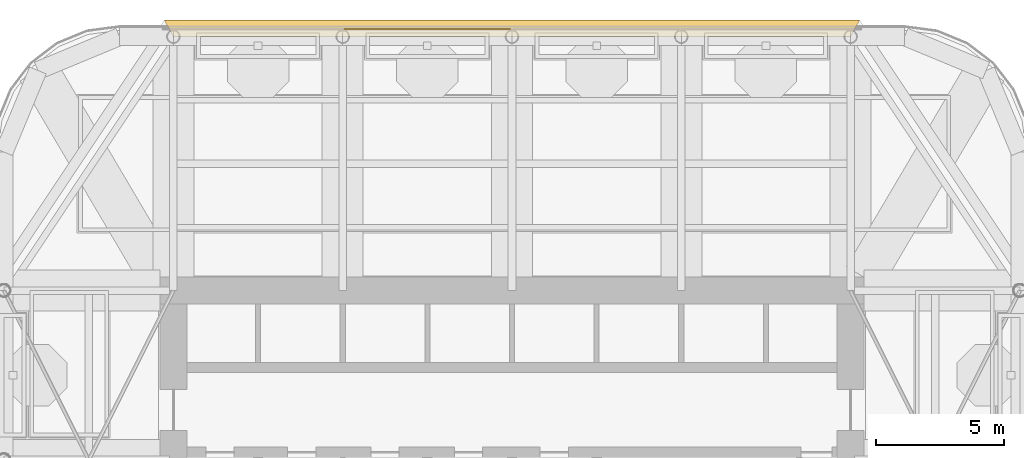
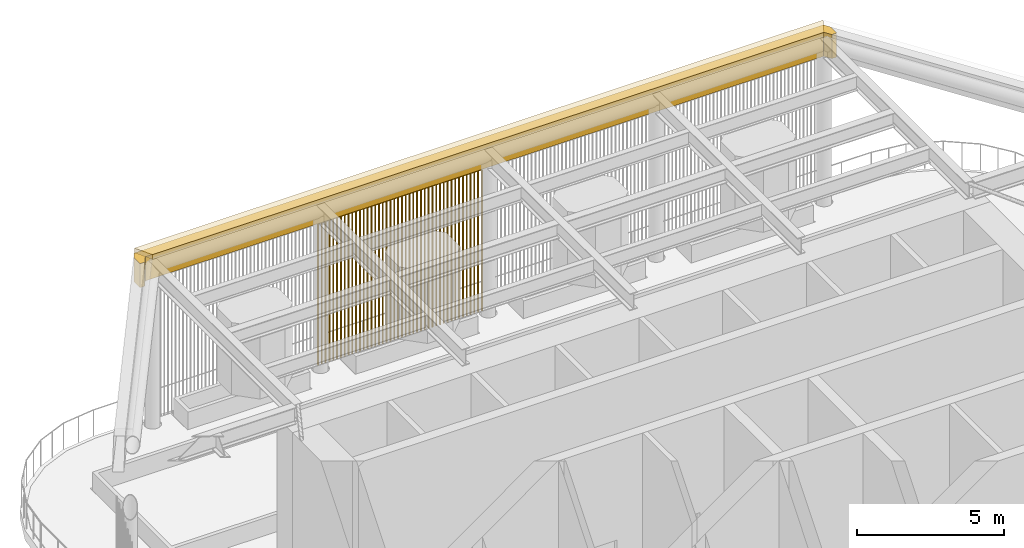
# One storey, part 19 of 22: 3 coverings.
"""IFC4 building model written with IfcOpenShell, lengths in metres."""

from ifc_helpers import new_model, si_unit, direction, frame, origin, place, context, subcontext, project, spatial, polyline, outline, extrude, material, layer, layer_set, type_object, element, save


model = new_model("IFC4")

# Units and contexts
model_context = context("Model", 3, precision=1e-05, world=origin(), true_north=direction((0.0, 1.0)))
body_context = subcontext(model_context, "Body", "Model", "MODEL_VIEW")
ifc_project = project(units=[si_unit("LENGTHUNIT", "METRE"), si_unit("AREAUNIT", "SQUARE_METRE"), si_unit("VOLUMEUNIT", "CUBIC_METRE"), si_unit("PLANEANGLEUNIT", "RADIAN"), si_unit("MASSUNIT", "GRAM", prefix="KILO")], contexts=[model_context])

# Site, building, storey
site_placement = place(None, origin())
site = spatial("IfcSite", under=ifc_project, at=site_placement, CompositionType="ELEMENT")
building_placement = place(site_placement, origin())
building = spatial("IfcBuilding", under=site, at=building_placement, Name="Cobogo Forest Laboratory Tower", CompositionType="ELEMENT")
storey_placement = place(building_placement, frame((0.0, 0.0, 292.800048828125)))
storey = spatial("IfcBuildingStorey", under=building, at=storey_placement, Name="RF", CompositionType="ELEMENT", Elevation=292.800048828125)

# Coverings
ifc_material_1 = material(Name="Terracotta rainscreen panels on steel brackets", Category="masonry")
ifc_layer_1 = layer(ifc_material_1, 0.389892578125)
ifc_layer_set_1 = layer_set([ifc_layer_1], Name="CF1 crown terracotta fascia 390")
covering_type_1 = type_object("IfcCoveringType", Name="CF1 crown terracotta fascia 390", PredefinedType="CLADDING", material=ifc_layer_set_1)
covering_1_placement = place(storey_placement, frame((0.0, 0.0, 5.89990234375)))
element("IfcCovering", 1, at=covering_1_placement, inside=storey, type_object=covering_type_1, Name="Crown fascia N", PredefinedType="CLADDING", context=body_context, shape_type="SweptSolid", body=[
    extrude(outline(polyline([(12.85205078125, 43.550048828125), (12.699951171875, 43.32177734375), (12.699951171875, 42.89990234375), (12.887451171875, 42.89990234375), (13.060791015625, 43.159912109375), (39.7392578125, 43.159912109375), (39.91259765625, 42.89990234375), (40.10009765625, 42.89990234375), (40.10009765625, 43.32177734375), (39.94775390625, 43.550048828125), (12.85205078125, 43.550048828125)])), origin(), (0.0, 0.0, 1.0), 1.00048828125),
])
ifc_material_2 = material(Name="Terracotta coping on steel brackets", Category="masonry")
ifc_layer_2 = layer(ifc_material_2, 0.199951171875)
ifc_layer_set_2 = layer_set([ifc_layer_2], Name="CF2 crown fascia coping 650")
covering_type_2 = type_object("IfcCoveringType", Name="CF2 crown fascia coping 650", PredefinedType="CLADDING", material=ifc_layer_set_2)
covering_2_placement = place(storey_placement, frame((0.0, 0.0, 6.900390625)))
element("IfcCovering", 2, at=covering_2_placement, inside=storey, type_object=covering_type_2, Name="Crown fascia coping N", PredefinedType="CLADDING", context=body_context, shape_type="SweptSolid", body=[
    extrude(outline(polyline([(39.60009765625, 42.89990234375), (39.94775390625, 43.550048828125), (12.85205078125, 43.550048828125), (13.199951171875, 42.89990234375), (39.60009765625, 42.89990234375)])), origin(), (0.0, 0.0, 1.0), 0.199462890625),
])
ifc_material_3 = material(Name="Terracotta baguettes on a galvanised steel top rail", Category="masonry")
covering_type_3 = type_object("IfcCoveringType", Name="CS1 crown terracotta baguette screen", PredefinedType="CLADDING", material=ifc_material_3)
covering_3_placement = place(storey_placement, frame((19.875, 43.199951171875, -0.0009765625)))
element("IfcCovering", 3, at=covering_3_placement, inside=storey, type_object=covering_type_3, Name="Crown screen N2", PredefinedType="CLADDING", context=body_context, shape_type="SweptSolid", body=[
    extrude(outline(polyline([(0.02880859375, 0.011962890625), (0.011962890625, 0.02880859375), (-0.011962890625, 0.02880859375), (-0.02880859375, 0.011962890625), (-0.02880859375, -0.011962890625), (-0.011962890625, -0.02880859375), (0.011962890625, -0.02880859375), (0.02880859375, -0.011962890625), (0.02880859375, 0.011962890625)])), frame((0.0, 0.0, 5.873046875), z_axis=(1.0, 0.0, 0.0), x_axis=(0.0, 1.0, 0.0)), (0.0, 0.0, 1.0), 6.449951171875),
    extrude(outline(polyline([(0.02880859375, 0.011962890625), (0.011962890625, 0.02880859375), (-0.011962890625, 0.02880859375), (-0.02880859375, 0.011962890625), (-0.02880859375, -0.011962890625), (-0.011962890625, -0.02880859375), (0.011962890625, -0.02880859375), (0.02880859375, -0.011962890625), (0.02880859375, 0.011962890625)])), origin(), (0.0, 0.0, 1.0), 5.841796875),
    extrude(outline(polyline([(0.02880859375, 0.011962890625), (0.011962890625, 0.02880859375), (-0.011962890625, 0.02880859375), (-0.02880859375, 0.011962890625), (-0.02880859375, -0.011962890625), (-0.011962890625, -0.02880859375), (0.011962890625, -0.02880859375), (0.02880859375, -0.011962890625), (0.02880859375, 0.011962890625)])), frame((0.14990234375, 0.0, 0.0)), (0.0, 0.0, 1.0), 5.841796875),
    extrude(outline(polyline([(0.02880859375, 0.011962890625), (0.011962890625, 0.02880859375), (-0.011962890625, 0.02880859375), (-0.02880859375, 0.011962890625), (-0.02880859375, -0.011962890625), (-0.011962890625, -0.02880859375), (0.011962890625, -0.02880859375), (0.02880859375, -0.011962890625), (0.02880859375, 0.011962890625)])), frame((0.300048828125, 0.0, 0.0)), (0.0, 0.0, 1.0), 5.841796875),
    extrude(outline(polyline([(0.02880859375, 0.011962890625), (0.011962890625, 0.02880859375), (-0.011962890625, 0.02880859375), (-0.02880859375, 0.011962890625), (-0.02880859375, -0.011962890625), (-0.011962890625, -0.02880859375), (0.011962890625, -0.02880859375), (0.02880859375, -0.011962890625), (0.02880859375, 0.011962890625)])), frame((0.449951171875, 0.0, 0.0)), (0.0, 0.0, 1.0), 5.841796875),
    extrude(outline(polyline([(0.02880859375, 0.011962890625), (0.011962890625, 0.02880859375), (-0.011962890625, 0.02880859375), (-0.02880859375, 0.011962890625), (-0.02880859375, -0.011962890625), (-0.011962890625, -0.02880859375), (0.011962890625, -0.02880859375), (0.02880859375, -0.011962890625), (0.02880859375, 0.011962890625)])), frame((0.60009765625, 0.0, 0.0)), (0.0, 0.0, 1.0), 5.841796875),
    extrude(outline(polyline([(0.02880859375, 0.011962890625), (0.011962890625, 0.02880859375), (-0.011962890625, 0.02880859375), (-0.02880859375, 0.011962890625), (-0.02880859375, -0.011962890625), (-0.011962890625, -0.02880859375), (0.011962890625, -0.02880859375), (0.02880859375, -0.011962890625), (0.02880859375, 0.011962890625)])), frame((0.75, 0.0, 0.0)), (0.0, 0.0, 1.0), 5.841796875),
    extrude(outline(polyline([(0.02880859375, 0.011962890625), (0.011962890625, 0.02880859375), (-0.011962890625, 0.02880859375), (-0.02880859375, 0.011962890625), (-0.02880859375, -0.011962890625), (-0.011962890625, -0.02880859375), (0.011962890625, -0.02880859375), (0.02880859375, -0.011962890625), (0.02880859375, 0.011962890625)])), frame((0.89990234375, 0.0, 0.0)), (0.0, 0.0, 1.0), 5.841796875),
    extrude(outline(polyline([(0.02880859375, 0.011962890625), (0.011962890625, 0.02880859375), (-0.011962890625, 0.02880859375), (-0.02880859375, 0.011962890625), (-0.02880859375, -0.011962890625), (-0.011962890625, -0.02880859375), (0.011962890625, -0.02880859375), (0.02880859375, -0.011962890625), (0.02880859375, 0.011962890625)])), frame((1.050048828125, 0.0, 0.0)), (0.0, 0.0, 1.0), 5.841796875),
    extrude(outline(polyline([(0.02880859375, 0.011962890625), (0.011962890625, 0.02880859375), (-0.011962890625, 0.02880859375), (-0.02880859375, 0.011962890625), (-0.02880859375, -0.011962890625), (-0.011962890625, -0.02880859375), (0.011962890625, -0.02880859375), (0.02880859375, -0.011962890625), (0.02880859375, 0.011962890625)])), frame((1.199951171875, 0.0, 0.0)), (0.0, 0.0, 1.0), 5.841796875),
    extrude(outline(polyline([(0.02880859375, 0.011962890625), (0.011962890625, 0.02880859375), (-0.011962890625, 0.02880859375), (-0.02880859375, 0.011962890625), (-0.02880859375, -0.011962890625), (-0.011962890625, -0.02880859375), (0.011962890625, -0.02880859375), (0.02880859375, -0.011962890625), (0.02880859375, 0.011962890625)])), frame((1.35009765625, 0.0, 0.0)), (0.0, 0.0, 1.0), 5.841796875),
    extrude(outline(polyline([(0.02880859375, 0.011962890625), (0.011962890625, 0.02880859375), (-0.011962890625, 0.02880859375), (-0.02880859375, 0.011962890625), (-0.02880859375, -0.011962890625), (-0.011962890625, -0.02880859375), (0.011962890625, -0.02880859375), (0.02880859375, -0.011962890625), (0.02880859375, 0.011962890625)])), frame((1.5, 0.0, 0.0)), (0.0, 0.0, 1.0), 5.841796875),
    extrude(outline(polyline([(0.02880859375, 0.011962890625), (0.011962890625, 0.02880859375), (-0.011962890625, 0.02880859375), (-0.02880859375, 0.011962890625), (-0.02880859375, -0.011962890625), (-0.011962890625, -0.02880859375), (0.011962890625, -0.02880859375), (0.02880859375, -0.011962890625), (0.02880859375, 0.011962890625)])), frame((1.64990234375, 0.0, 0.0)), (0.0, 0.0, 1.0), 5.841796875),
    extrude(outline(polyline([(0.02880859375, 0.011962890625), (0.011962890625, 0.02880859375), (-0.011962890625, 0.02880859375), (-0.02880859375, 0.011962890625), (-0.02880859375, -0.011962890625), (-0.011962890625, -0.02880859375), (0.011962890625, -0.02880859375), (0.02880859375, -0.011962890625), (0.02880859375, 0.011962890625)])), frame((1.800048828125, 0.0, 0.0)), (0.0, 0.0, 1.0), 5.841796875),
    extrude(outline(polyline([(0.02880859375, 0.011962890625), (0.011962890625, 0.02880859375), (-0.011962890625, 0.02880859375), (-0.02880859375, 0.011962890625), (-0.02880859375, -0.011962890625), (-0.011962890625, -0.02880859375), (0.011962890625, -0.02880859375), (0.02880859375, -0.011962890625), (0.02880859375, 0.011962890625)])), frame((1.949951171875, 0.0, 0.0)), (0.0, 0.0, 1.0), 5.841796875),
    extrude(outline(polyline([(0.02880859375, 0.011962890625), (0.011962890625, 0.02880859375), (-0.011962890625, 0.02880859375), (-0.02880859375, 0.011962890625), (-0.02880859375, -0.011962890625), (-0.011962890625, -0.02880859375), (0.011962890625, -0.02880859375), (0.02880859375, -0.011962890625), (0.02880859375, 0.011962890625)])), frame((2.10009765625, 0.0, 0.0)), (0.0, 0.0, 1.0), 5.841796875),
    extrude(outline(polyline([(0.02880859375, 0.011962890625), (0.011962890625, 0.02880859375), (-0.011962890625, 0.02880859375), (-0.02880859375, 0.011962890625), (-0.02880859375, -0.011962890625), (-0.011962890625, -0.02880859375), (0.011962890625, -0.02880859375), (0.02880859375, -0.011962890625), (0.02880859375, 0.011962890625)])), frame((2.25, 0.0, 0.0)), (0.0, 0.0, 1.0), 5.841796875),
    extrude(outline(polyline([(0.02880859375, 0.011962890625), (0.011962890625, 0.02880859375), (-0.011962890625, 0.02880859375), (-0.02880859375, 0.011962890625), (-0.02880859375, -0.011962890625), (-0.011962890625, -0.02880859375), (0.011962890625, -0.02880859375), (0.02880859375, -0.011962890625), (0.02880859375, 0.011962890625)])), frame((2.39990234375, 0.0, 0.0)), (0.0, 0.0, 1.0), 5.841796875),
    extrude(outline(polyline([(0.02880859375, 0.011962890625), (0.011962890625, 0.02880859375), (-0.011962890625, 0.02880859375), (-0.02880859375, 0.011962890625), (-0.02880859375, -0.011962890625), (-0.011962890625, -0.02880859375), (0.011962890625, -0.02880859375), (0.02880859375, -0.011962890625), (0.02880859375, 0.011962890625)])), frame((2.550048828125, 0.0, 0.0)), (0.0, 0.0, 1.0), 5.841796875),
    extrude(outline(polyline([(0.02880859375, 0.011962890625), (0.011962890625, 0.02880859375), (-0.011962890625, 0.02880859375), (-0.02880859375, 0.011962890625), (-0.02880859375, -0.011962890625), (-0.011962890625, -0.02880859375), (0.011962890625, -0.02880859375), (0.02880859375, -0.011962890625), (0.02880859375, 0.011962890625)])), frame((2.699951171875, 0.0, 0.0)), (0.0, 0.0, 1.0), 5.841796875),
    extrude(outline(polyline([(0.02880859375, 0.011962890625), (0.011962890625, 0.02880859375), (-0.011962890625, 0.02880859375), (-0.02880859375, 0.011962890625), (-0.02880859375, -0.011962890625), (-0.011962890625, -0.02880859375), (0.011962890625, -0.02880859375), (0.02880859375, -0.011962890625), (0.02880859375, 0.011962890625)])), frame((2.85009765625, 0.0, 0.0)), (0.0, 0.0, 1.0), 5.841796875),
    extrude(outline(polyline([(0.02880859375, 0.011962890625), (0.011962890625, 0.02880859375), (-0.011962890625, 0.02880859375), (-0.02880859375, 0.011962890625), (-0.02880859375, -0.011962890625), (-0.011962890625, -0.02880859375), (0.011962890625, -0.02880859375), (0.02880859375, -0.011962890625), (0.02880859375, 0.011962890625)])), frame((3.0, 0.0, 0.0)), (0.0, 0.0, 1.0), 5.841796875),
    extrude(outline(polyline([(0.02880859375, 0.011962890625), (0.011962890625, 0.02880859375), (-0.011962890625, 0.02880859375), (-0.02880859375, 0.011962890625), (-0.02880859375, -0.011962890625), (-0.011962890625, -0.02880859375), (0.011962890625, -0.02880859375), (0.02880859375, -0.011962890625), (0.02880859375, 0.011962890625)])), frame((3.14990234375, 0.0, 0.0)), (0.0, 0.0, 1.0), 5.841796875),
    extrude(outline(polyline([(0.02880859375, 0.011962890625), (0.011962890625, 0.02880859375), (-0.011962890625, 0.02880859375), (-0.02880859375, 0.011962890625), (-0.02880859375, -0.011962890625), (-0.011962890625, -0.02880859375), (0.011962890625, -0.02880859375), (0.02880859375, -0.011962890625), (0.02880859375, 0.011962890625)])), frame((3.300048828125, 0.0, 0.0)), (0.0, 0.0, 1.0), 5.841796875),
    extrude(outline(polyline([(0.02880859375, 0.011962890625), (0.011962890625, 0.02880859375), (-0.011962890625, 0.02880859375), (-0.02880859375, 0.011962890625), (-0.02880859375, -0.011962890625), (-0.011962890625, -0.02880859375), (0.011962890625, -0.02880859375), (0.02880859375, -0.011962890625), (0.02880859375, 0.011962890625)])), frame((3.449951171875, 0.0, 0.0)), (0.0, 0.0, 1.0), 5.841796875),
    extrude(outline(polyline([(0.02880859375, 0.011962890625), (0.011962890625, 0.02880859375), (-0.011962890625, 0.02880859375), (-0.02880859375, 0.011962890625), (-0.02880859375, -0.011962890625), (-0.011962890625, -0.02880859375), (0.011962890625, -0.02880859375), (0.02880859375, -0.011962890625), (0.02880859375, 0.011962890625)])), frame((3.599853515625, 0.0, 0.0)), (0.0, 0.0, 1.0), 5.841796875),
    extrude(outline(polyline([(0.02880859375, 0.011962890625), (0.011962890625, 0.02880859375), (-0.011962890625, 0.02880859375), (-0.02880859375, 0.011962890625), (-0.02880859375, -0.011962890625), (-0.011962890625, -0.02880859375), (0.011962890625, -0.02880859375), (0.02880859375, -0.011962890625), (0.02880859375, 0.011962890625)])), frame((3.75, 0.0, 0.0)), (0.0, 0.0, 1.0), 5.841796875),
    extrude(outline(polyline([(0.02880859375, 0.011962890625), (0.011962890625, 0.02880859375), (-0.011962890625, 0.02880859375), (-0.02880859375, 0.011962890625), (-0.02880859375, -0.011962890625), (-0.011962890625, -0.02880859375), (0.011962890625, -0.02880859375), (0.02880859375, -0.011962890625), (0.02880859375, 0.011962890625)])), frame((3.89990234375, 0.0, 0.0)), (0.0, 0.0, 1.0), 5.841796875),
    extrude(outline(polyline([(0.02880859375, 0.011962890625), (0.011962890625, 0.02880859375), (-0.011962890625, 0.02880859375), (-0.02880859375, 0.011962890625), (-0.02880859375, -0.011962890625), (-0.011962890625, -0.02880859375), (0.011962890625, -0.02880859375), (0.02880859375, -0.011962890625), (0.02880859375, 0.011962890625)])), frame((4.050048828125, 0.0, 0.0)), (0.0, 0.0, 1.0), 5.841796875),
    extrude(outline(polyline([(0.02880859375, 0.011962890625), (0.011962890625, 0.02880859375), (-0.011962890625, 0.02880859375), (-0.02880859375, 0.011962890625), (-0.02880859375, -0.011962890625), (-0.011962890625, -0.02880859375), (0.011962890625, -0.02880859375), (0.02880859375, -0.011962890625), (0.02880859375, 0.011962890625)])), frame((4.199951171875, 0.0, 0.0)), (0.0, 0.0, 1.0), 5.841796875),
    extrude(outline(polyline([(0.02880859375, 0.011962890625), (0.011962890625, 0.02880859375), (-0.011962890625, 0.02880859375), (-0.02880859375, 0.011962890625), (-0.02880859375, -0.011962890625), (-0.011962890625, -0.02880859375), (0.011962890625, -0.02880859375), (0.02880859375, -0.011962890625), (0.02880859375, 0.011962890625)])), frame((4.349853515625, 0.0, 0.0)), (0.0, 0.0, 1.0), 5.841796875),
    extrude(outline(polyline([(0.02880859375, 0.011962890625), (0.011962890625, 0.02880859375), (-0.011962890625, 0.02880859375), (-0.02880859375, 0.011962890625), (-0.02880859375, -0.011962890625), (-0.011962890625, -0.02880859375), (0.011962890625, -0.02880859375), (0.02880859375, -0.011962890625), (0.02880859375, 0.011962890625)])), frame((4.5, 0.0, 0.0)), (0.0, 0.0, 1.0), 5.841796875),
    extrude(outline(polyline([(0.02880859375, 0.011962890625), (0.011962890625, 0.02880859375), (-0.011962890625, 0.02880859375), (-0.02880859375, 0.011962890625), (-0.02880859375, -0.011962890625), (-0.011962890625, -0.02880859375), (0.011962890625, -0.02880859375), (0.02880859375, -0.011962890625), (0.02880859375, 0.011962890625)])), frame((4.64990234375, 0.0, 0.0)), (0.0, 0.0, 1.0), 5.841796875),
    extrude(outline(polyline([(0.02880859375, 0.011962890625), (0.011962890625, 0.02880859375), (-0.011962890625, 0.02880859375), (-0.02880859375, 0.011962890625), (-0.02880859375, -0.011962890625), (-0.011962890625, -0.02880859375), (0.011962890625, -0.02880859375), (0.02880859375, -0.011962890625), (0.02880859375, 0.011962890625)])), frame((4.800048828125, 0.0, 0.0)), (0.0, 0.0, 1.0), 5.841796875),
    extrude(outline(polyline([(0.02880859375, 0.011962890625), (0.011962890625, 0.02880859375), (-0.011962890625, 0.02880859375), (-0.02880859375, 0.011962890625), (-0.02880859375, -0.011962890625), (-0.011962890625, -0.02880859375), (0.011962890625, -0.02880859375), (0.02880859375, -0.011962890625), (0.02880859375, 0.011962890625)])), frame((4.949951171875, 0.0, 0.0)), (0.0, 0.0, 1.0), 5.841796875),
    extrude(outline(polyline([(0.02880859375, 0.011962890625), (0.011962890625, 0.02880859375), (-0.011962890625, 0.02880859375), (-0.02880859375, 0.011962890625), (-0.02880859375, -0.011962890625), (-0.011962890625, -0.02880859375), (0.011962890625, -0.02880859375), (0.02880859375, -0.011962890625), (0.02880859375, 0.011962890625)])), frame((5.099853515625, 0.0, 0.0)), (0.0, 0.0, 1.0), 5.841796875),
    extrude(outline(polyline([(0.02880859375, 0.011962890625), (0.011962890625, 0.02880859375), (-0.011962890625, 0.02880859375), (-0.02880859375, 0.011962890625), (-0.02880859375, -0.011962890625), (-0.011962890625, -0.02880859375), (0.011962890625, -0.02880859375), (0.02880859375, -0.011962890625), (0.02880859375, 0.011962890625)])), frame((5.25, 0.0, 0.0)), (0.0, 0.0, 1.0), 5.841796875),
    extrude(outline(polyline([(0.02880859375, 0.011962890625), (0.011962890625, 0.02880859375), (-0.011962890625, 0.02880859375), (-0.02880859375, 0.011962890625), (-0.02880859375, -0.011962890625), (-0.011962890625, -0.02880859375), (0.011962890625, -0.02880859375), (0.02880859375, -0.011962890625), (0.02880859375, 0.011962890625)])), frame((5.39990234375, 0.0, 0.0)), (0.0, 0.0, 1.0), 5.841796875),
    extrude(outline(polyline([(0.02880859375, 0.011962890625), (0.011962890625, 0.02880859375), (-0.011962890625, 0.02880859375), (-0.02880859375, 0.011962890625), (-0.02880859375, -0.011962890625), (-0.011962890625, -0.02880859375), (0.011962890625, -0.02880859375), (0.02880859375, -0.011962890625), (0.02880859375, 0.011962890625)])), frame((5.550048828125, 0.0, 0.0)), (0.0, 0.0, 1.0), 5.841796875),
    extrude(outline(polyline([(0.02880859375, 0.011962890625), (0.011962890625, 0.02880859375), (-0.011962890625, 0.02880859375), (-0.02880859375, 0.011962890625), (-0.02880859375, -0.011962890625), (-0.011962890625, -0.02880859375), (0.011962890625, -0.02880859375), (0.02880859375, -0.011962890625), (0.02880859375, 0.011962890625)])), frame((5.699951171875, 0.0, 0.0)), (0.0, 0.0, 1.0), 5.841796875),
    extrude(outline(polyline([(0.02880859375, 0.011962890625), (0.011962890625, 0.02880859375), (-0.011962890625, 0.02880859375), (-0.02880859375, 0.011962890625), (-0.02880859375, -0.011962890625), (-0.011962890625, -0.02880859375), (0.011962890625, -0.02880859375), (0.02880859375, -0.011962890625), (0.02880859375, 0.011962890625)])), frame((5.849853515625, 0.0, 0.0)), (0.0, 0.0, 1.0), 5.841796875),
    extrude(outline(polyline([(0.02880859375, 0.011962890625), (0.011962890625, 0.02880859375), (-0.011962890625, 0.02880859375), (-0.02880859375, 0.011962890625), (-0.02880859375, -0.011962890625), (-0.011962890625, -0.02880859375), (0.011962890625, -0.02880859375), (0.02880859375, -0.011962890625), (0.02880859375, 0.011962890625)])), frame((6.0, 0.0, 0.0)), (0.0, 0.0, 1.0), 5.841796875),
    extrude(outline(polyline([(0.02880859375, 0.011962890625), (0.011962890625, 0.02880859375), (-0.011962890625, 0.02880859375), (-0.02880859375, 0.011962890625), (-0.02880859375, -0.011962890625), (-0.011962890625, -0.02880859375), (0.011962890625, -0.02880859375), (0.02880859375, -0.011962890625), (0.02880859375, 0.011962890625)])), frame((6.14990234375, 0.0, 0.0)), (0.0, 0.0, 1.0), 5.841796875),
    extrude(outline(polyline([(0.02880859375, 0.011962890625), (0.011962890625, 0.02880859375), (-0.011962890625, 0.02880859375), (-0.02880859375, 0.011962890625), (-0.02880859375, -0.011962890625), (-0.011962890625, -0.02880859375), (0.011962890625, -0.02880859375), (0.02880859375, -0.011962890625), (0.02880859375, 0.011962890625)])), frame((6.300048828125, 0.0, 0.0)), (0.0, 0.0, 1.0), 5.841796875),
    extrude(outline(polyline([(0.02880859375, 0.011962890625), (0.011962890625, 0.02880859375), (-0.011962890625, 0.02880859375), (-0.02880859375, 0.011962890625), (-0.02880859375, -0.011962890625), (-0.011962890625, -0.02880859375), (0.011962890625, -0.02880859375), (0.02880859375, -0.011962890625), (0.02880859375, 0.011962890625)])), frame((6.449951171875, 0.0, 0.0)), (0.0, 0.0, 1.0), 5.841796875),
])

save(model, "model.ifc")
